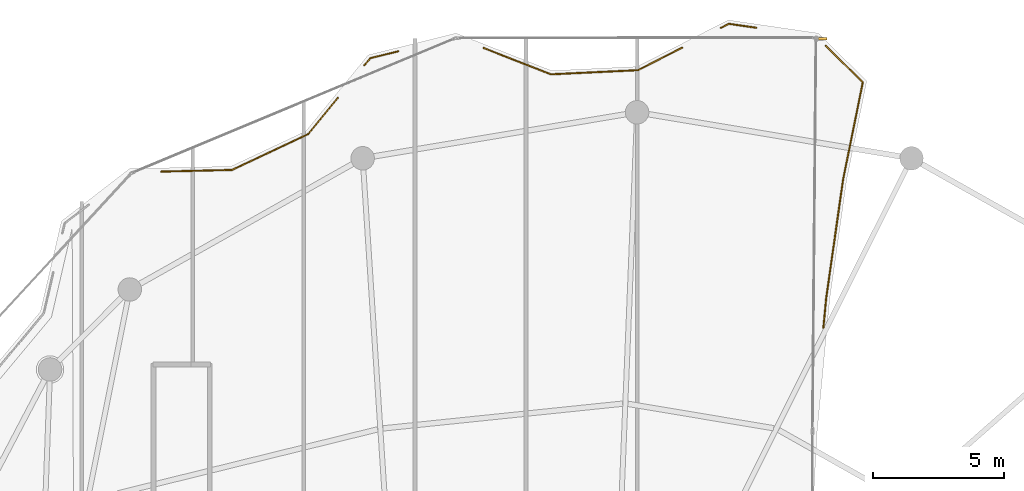
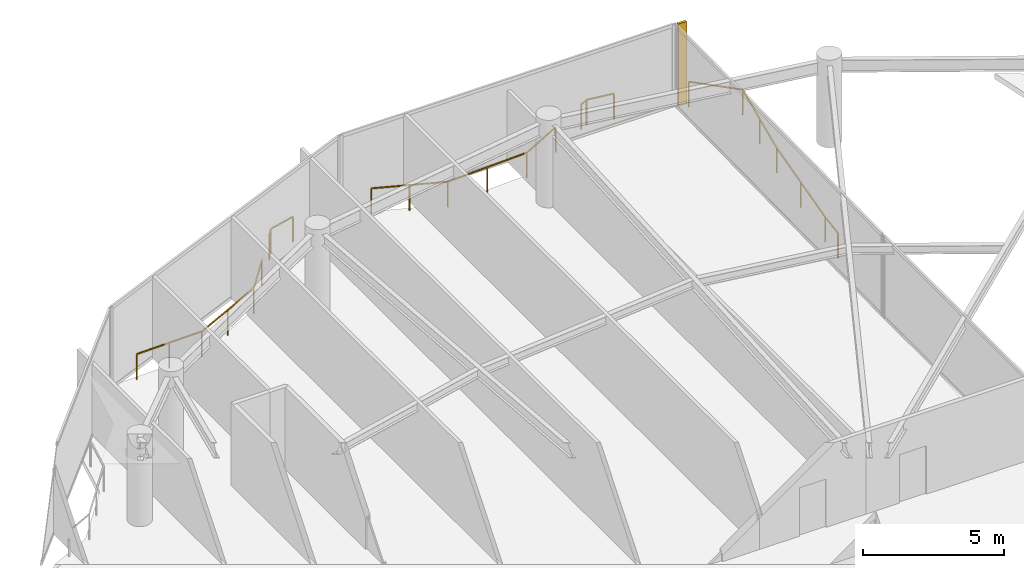
# One storey, part 23 of 23: 5 railings, 1 shading device.
"""IFC4 building model written with IfcOpenShell, lengths in metres."""

from ifc_helpers import new_model, si_unit, direction, frame, origin, origin_2d, place, context, subcontext, project, spatial, rectangle, extrude, material, type_object, element, save


model = new_model("IFC4")

# Units and contexts
model_context = context("Model", 3, precision=1e-05, world=origin(), true_north=direction((0.0, 1.0)))
body_context = subcontext(model_context, "Body", "Model", "MODEL_VIEW")
ifc_project = project(units=[si_unit("LENGTHUNIT", "METRE"), si_unit("AREAUNIT", "SQUARE_METRE"), si_unit("VOLUMEUNIT", "CUBIC_METRE"), si_unit("PLANEANGLEUNIT", "RADIAN"), si_unit("MASSUNIT", "GRAM", prefix="KILO")], contexts=[model_context])

# Site, building, storey
site_placement = place(None, origin())
site = spatial("IfcSite", under=ifc_project, at=site_placement, CompositionType="ELEMENT")
building_placement = place(site_placement, origin())
building = spatial("IfcBuilding", under=site, at=building_placement, Name="Kazevale Care Tower and Concert Hall", CompositionType="ELEMENT")
storey_placement = place(building_placement, frame((0.0, 0.0, 270.0)))
storey = spatial("IfcBuildingStorey", under=building, at=storey_placement, Name="L71", CompositionType="ELEMENT", Elevation=270.0)

# Railings
ifc_material_1 = material(Name="Anodised Bronze Aluminium and Laminated Glass", Category="aluminium")
railing_type = type_object("IfcRailingType", Name="Balcony and Terrace Balustrade 1120", PredefinedType="BALUSTRADE", material=ifc_material_1)
railing_1_placement = place(storey_placement, frame((26.7890625, 58.881103515625, 0.0)))
element("IfcRailing", 1, at=railing_1_placement, inside=storey, type_object=railing_type, Name="rail:L71:perim:4", PredefinedType="BALUSTRADE", context=body_context, shape_type="SweptSolid", body=[
    extrude(rectangle(XDim=0.048095703125, YDim=0.048095703125, at=origin_2d()), frame((0.0, 0.0, 1.09619140625), z_axis=(0.999729790592, 0.023245339399, 0.0), x_axis=(-0.023245339399, 0.999729790592, 0.0)), (0.0, 0.0, 1.0), 2.709716796875),
    extrude(rectangle(XDim=0.048095703125, YDim=0.048095703125, at=origin_2d()), frame((2.708984375, 0.06298828125, 1.09619140625), z_axis=(0.904530641987, 0.426408627617, 0.0), x_axis=(-0.426408627617, 0.904530641987, 0.0)), (0.0, 0.0, 1.0), 3.229248046875),
    extrude(rectangle(XDim=0.048095703125, YDim=0.048095703125, at=origin_2d()), frame((5.6298828125, 1.43994140625, 1.09619140625), z_axis=(0.633566885495, 0.773687922617, 0.0), x_axis=(-0.773687922617, 0.633566885495, 0.0)), (0.0, 0.0, 1.0), 1.777099609375),
    extrude(rectangle(XDim=0.0419921875, YDim=0.0419921875, at=origin_2d()), origin(), (0.0, 0.0, 1.0), 1.072021484375),
    extrude(rectangle(XDim=0.0419921875, YDim=0.0419921875, at=origin_2d()), frame((1.3544921875, 0.031494140625, 0.0)), (0.0, 0.0, 1.0), 1.072021484375),
    extrude(rectangle(XDim=0.0419921875, YDim=0.0419921875, at=origin_2d()), frame((2.708984375, 0.06298828125, 0.0)), (0.0, 0.0, 1.0), 1.072021484375),
    extrude(rectangle(XDim=0.0419921875, YDim=0.0419921875, at=origin_2d()), frame((4.16943359375, 0.75146484375, 0.0)), (0.0, 0.0, 1.0), 1.072021484375),
    extrude(rectangle(XDim=0.0419921875, YDim=0.0419921875, at=origin_2d()), frame((5.6298828125, 1.43994140625, 0.0)), (0.0, 0.0, 1.0), 1.072021484375),
    extrude(rectangle(XDim=0.0419921875, YDim=0.0419921875, at=origin_2d()), frame((6.755859375, 2.81494140625, 0.0)), (0.0, 0.0, 1.0), 1.072021484375),
])
railing_2_placement = place(storey_placement, frame((34.56689453125, 62.946044921875, 0.0)))
element("IfcRailing", 2, at=railing_2_placement, inside=storey, type_object=railing_type, Name="rail:L71:perim:5", PredefinedType="BALUSTRADE", context=body_context, shape_type="SweptSolid", body=[
    extrude(rectangle(XDim=0.048095703125, YDim=0.048095703125, at=origin_2d()), frame((0.0, 0.0, 1.09619140625), z_axis=(0.634591995609, 0.772847332343, 0.0), x_axis=(-0.772847332343, 0.634591995609, 0.0)), (0.0, 0.0, 1.0), 0.353271484375),
    extrude(rectangle(XDim=0.048095703125, YDim=0.048095703125, at=origin_2d()), frame((0.22412109375, 0.27294921875, 1.09619140625), z_axis=(0.970533156965, 0.240967614487, 0.0), x_axis=(-0.240967614487, 0.970533156965, 0.0)), (0.0, 0.0, 1.0), 1.099365234375),
    extrude(rectangle(XDim=0.0419921875, YDim=0.0419921875, at=origin_2d()), origin(), (0.0, 0.0, 1.0), 1.072021484375),
    extrude(rectangle(XDim=0.0419921875, YDim=0.0419921875, at=origin_2d()), frame((0.22412109375, 0.27294921875, 0.0)), (0.0, 0.0, 1.0), 1.072021484375),
    extrude(rectangle(XDim=0.0419921875, YDim=0.0419921875, at=origin_2d()), frame((1.291015625, 0.537841796875, 0.0)), (0.0, 0.0, 1.0), 1.072021484375),
])
railing_3_placement = place(storey_placement, frame((39.134033203125, 63.60888671875, 0.0)))
element("IfcRailing", 3, at=railing_3_placement, inside=storey, type_object=railing_type, Name="rail:L71:perim:6", PredefinedType="BALUSTRADE", context=body_context, shape_type="SweptSolid", body=[
    extrude(rectangle(XDim=0.048095703125, YDim=0.048095703125, at=origin_2d()), frame((0.0, 0.0, 1.09619140625), z_axis=(0.931241476006, -0.36440268024, 0.0), x_axis=(0.36440268024, 0.931241476006, 0.0)), (0.0, 0.0, 1.0), 2.762939453125),
    extrude(rectangle(XDim=0.048095703125, YDim=0.048095703125, at=origin_2d()), frame((2.572998046875, -1.0068359375, 1.09619140625), z_axis=(0.998849004691, 0.047965256457, 0.0), x_axis=(-0.047965256457, 0.998849004691, 0.0)), (0.0, 0.0, 1.0), 3.333984375),
    extrude(rectangle(XDim=0.048095703125, YDim=0.048095703125, at=origin_2d()), frame((5.903076171875, -0.846923828125, 1.09619140625), z_axis=(0.890537222448, 0.454910381762, 0.0), x_axis=(-0.454910381762, 0.890537222448, 0.0)), (0.0, 0.0, 1.0), 1.886474609375),
    extrude(rectangle(XDim=0.0419921875, YDim=0.0419921875, at=origin_2d()), origin(), (0.0, 0.0, 1.0), 1.072021484375),
    extrude(rectangle(XDim=0.0419921875, YDim=0.0419921875, at=origin_2d()), frame((1.28662109375, -0.50341796875, 0.0)), (0.0, 0.0, 1.0), 1.072021484375),
    extrude(rectangle(XDim=0.0419921875, YDim=0.0419921875, at=origin_2d()), frame((2.572998046875, -1.0068359375, 0.0)), (0.0, 0.0, 1.0), 1.072021484375),
    extrude(rectangle(XDim=0.0419921875, YDim=0.0419921875, at=origin_2d()), frame((4.238037109375, -0.9267578125, 0.0)), (0.0, 0.0, 1.0), 1.072021484375),
    extrude(rectangle(XDim=0.0419921875, YDim=0.0419921875, at=origin_2d()), frame((5.903076171875, -0.846923828125, 0.0)), (0.0, 0.0, 1.0), 1.072021484375),
    extrude(rectangle(XDim=0.0419921875, YDim=0.0419921875, at=origin_2d()), frame((7.5830078125, 0.01123046875, 0.0)), (0.0, 0.0, 1.0), 1.072021484375),
])
railing_4_placement = place(storey_placement, frame((48.2099609375, 64.382080078125, 0.0)))
element("IfcRailing", 4, at=railing_4_placement, inside=storey, type_object=railing_type, Name="rail:L71:perim:7", PredefinedType="BALUSTRADE", context=body_context, shape_type="SweptSolid", body=[
    extrude(rectangle(XDim=0.048095703125, YDim=0.048095703125, at=origin_2d()), frame((0.0, 0.0, 1.09619140625), z_axis=(0.891088968162, 0.453828657997, 0.0), x_axis=(-0.453828657997, 0.891088968162, 0.0)), (0.0, 0.0, 1.0), 0.3388671875),
    extrude(rectangle(XDim=0.048095703125, YDim=0.048095703125, at=origin_2d()), frame((0.302001953125, 0.15380859375, 1.09619140625), z_axis=(0.989508089913, -0.144477472283, 0.0), x_axis=(0.144477472283, 0.989508089913, 0.0)), (0.0, 0.0, 1.0), 1.051025390625),
    extrude(rectangle(XDim=0.0419921875, YDim=0.0419921875, at=origin_2d()), origin(), (0.0, 0.0, 1.0), 1.072021484375),
    extrude(rectangle(XDim=0.0419921875, YDim=0.0419921875, at=origin_2d()), frame((0.302001953125, 0.15380859375, 0.0)), (0.0, 0.0, 1.0), 1.072021484375),
    extrude(rectangle(XDim=0.0419921875, YDim=0.0419921875, at=origin_2d()), frame((1.342041015625, 0.001953125, 0.0)), (0.0, 0.0, 1.0), 1.072021484375),
])
railing_5_placement = place(storey_placement, frame((52.22412109375, 63.69189453125, 0.0)))
element("IfcRailing", 5, at=railing_5_placement, inside=storey, type_object=railing_type, Name="rail:L71:perim:8", PredefinedType="BALUSTRADE", context=body_context, shape_type="SweptSolid", body=[
    extrude(rectangle(XDim=0.048095703125, YDim=0.048095703125, at=origin_2d()), frame((0.0, 0.0, 1.09619140625), z_axis=(0.712137630783, -0.70203988122, 0.0), x_axis=(0.70203988122, 0.712137630783, 0.0)), (0.0, 0.0, 1.0), 1.982666015625),
    extrude(rectangle(XDim=0.048095703125, YDim=0.048095703125, at=origin_2d()), frame((1.411865234375, -1.391845703125, 1.09619140625), z_axis=(-0.199044428373, -0.979990467063, 0.0), x_axis=(0.979990467063, -0.199044428373, 0.0)), (0.0, 0.0, 1.0), 3.78271484375),
    extrude(rectangle(XDim=0.048095703125, YDim=0.048095703125, at=origin_2d()), frame((0.658935546875, -5.098876953125, 1.09619140625), z_axis=(-0.140844645504, -0.990031709509, 0.0), x_axis=(0.990031709509, -0.140844645504, 0.0)), (0.0, 0.0, 1.0), 4.623046875),
    extrude(rectangle(XDim=0.048095703125, YDim=0.048095703125, at=origin_2d()), frame((0.0078125, -9.67578125, 1.09619140625), z_axis=(-0.094120925215, -0.995560772347, 0.0), x_axis=(0.995560772347, -0.094120925215, 0.0)), (0.0, 0.0, 1.0), 1.10498046875),
    extrude(rectangle(XDim=0.0419921875, YDim=0.0419921875, at=origin_2d()), origin(), (0.0, 0.0, 1.0), 1.072021484375),
    extrude(rectangle(XDim=0.0419921875, YDim=0.0419921875, at=origin_2d()), frame((1.411865234375, -1.391845703125, 0.0)), (0.0, 0.0, 1.0), 1.072021484375),
    extrude(rectangle(XDim=0.0419921875, YDim=0.0419921875, at=origin_2d()), frame((1.035400390625, -3.245361328125, 0.0)), (0.0, 0.0, 1.0), 1.072021484375),
    extrude(rectangle(XDim=0.0419921875, YDim=0.0419921875, at=origin_2d()), frame((0.658935546875, -5.098876953125, 0.0)), (0.0, 0.0, 1.0), 1.072021484375),
    extrude(rectangle(XDim=0.0419921875, YDim=0.0419921875, at=origin_2d()), frame((0.33349609375, -7.38720703125, 0.0)), (0.0, 0.0, 1.0), 1.072021484375),
    extrude(rectangle(XDim=0.0419921875, YDim=0.0419921875, at=origin_2d()), frame((0.0078125, -9.67578125, 0.0)), (0.0, 0.0, 1.0), 1.072021484375),
    extrude(rectangle(XDim=0.0419921875, YDim=0.0419921875, at=origin_2d()), frame((-0.09619140625, -10.77587890625, 0.0)), (0.0, 0.0, 1.0), 1.072021484375),
])

# Shading device
ifc_material_2 = material(Name="Anodised Bronze Aluminium", Category="aluminium")
shading_device_type = type_object("IfcShadingDeviceType", Name="Waist Anodised Bronze-Stone Fin FIN-02", PredefinedType="USERDEFINED", material=ifc_material_2)
shading_device_placement = place(storey_placement, frame((52.1025390625, 63.964599609375, 0.0), z_axis=(0.0, 0.0, 1.0), x_axis=(0.999960384766, -0.008901061644, 0.0)))
element("IfcShadingDevice", 6, at=shading_device_placement, inside=storey, type_object=shading_device_type, Name="cw:L71:f13:fin", ObjectType="FIN", PredefinedType="USERDEFINED", context=body_context, shape_type="SweptSolid", body=[
    extrude(rectangle(XDim=0.340087890625, YDim=0.10009765625, at=origin_2d()), origin(), (0.0, 0.0, 1.0), 3.56005859375),
])

save(model, "model.ifc")
